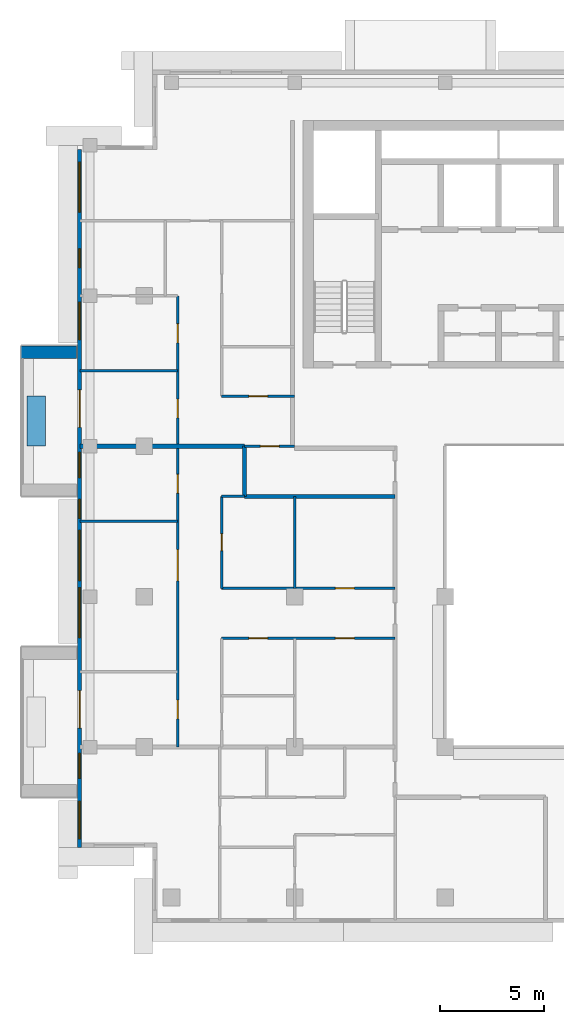
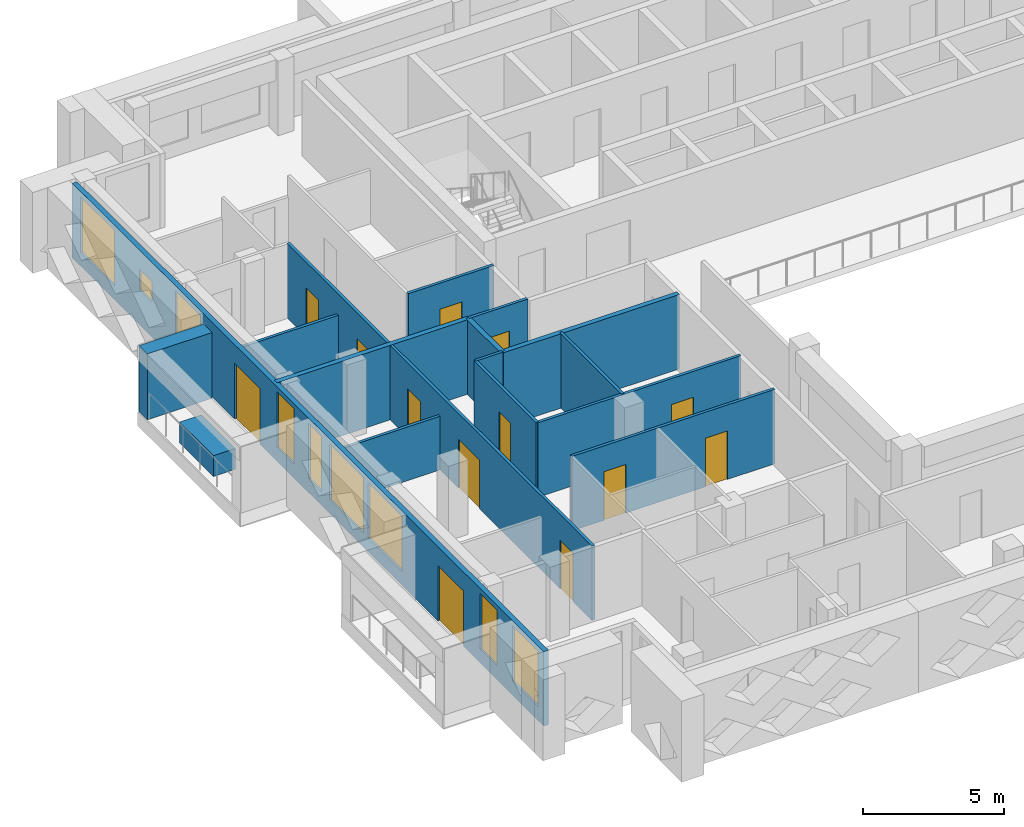
# One storey, part 7 of 19: 16 walls, 13 doors, 9 windows, 22 openings.
"""IFC4 building model written with IfcOpenShell, lengths in metres."""

from ifc_helpers import new_model, si_unit, direction, frame, frame_2d, origin, place, context, subcontext, project, spatial, rectangle, extrude, material, layer, layer_set, type_object, element, fill, save


model = new_model("IFC4")

# Units and contexts
model_context = context("Model", 3, precision=1e-05, world=origin(), true_north=direction((0.0, 1.0)))
body_context = subcontext(model_context, "Body", "Model", "MODEL_VIEW")
ifc_project = project(units=[si_unit("LENGTHUNIT", "METRE"), si_unit("AREAUNIT", "SQUARE_METRE"), si_unit("VOLUMEUNIT", "CUBIC_METRE"), si_unit("PLANEANGLEUNIT", "RADIAN"), si_unit("MASSUNIT", "GRAM", prefix="KILO")], contexts=[model_context])

# Site, building, storey
site_placement = place(None, origin())
site = spatial("IfcSite", under=ifc_project, at=site_placement, CompositionType="ELEMENT")
building_placement = place(site_placement, origin())
building = spatial("IfcBuilding", under=site, at=building_placement, Name="Saffron Iwan Residences", CompositionType="ELEMENT")
storey_placement = place(building_placement, frame((0.0, 0.0, 250.0)))
storey = spatial("IfcBuildingStorey", under=building, at=storey_placement, Name="L67", CompositionType="ELEMENT", Elevation=250.0)

# Walls
ifc_material_1 = material(Name="Concrete C50/60 white painted", Category="concrete")
ifc_layer_1 = layer(ifc_material_1, 0.60009765625)
ifc_layer_set_1 = layer_set([ifc_layer_1], Name="Concrete C50/60 white painted")
wall_type_1 = type_object("IfcWallType", Name="BALCONY FIN 600", PredefinedType="SOLIDWALL", material=ifc_layer_set_1)
wall_1_placement = place(storey_placement, frame((18.35009765625, 66.89990234375, 0.0), z_axis=(0.0, 0.0, 1.0), x_axis=(-1.0, 0.0, 0.0)))
element("IfcWall", 1, at=wall_1_placement, inside=storey, type_object=wall_type_1, Name="Balcony fin L67 F8-0a", PredefinedType="SOLIDWALL", context=body_context, shape_type="SweptSolid", body=[
    extrude(rectangle(XDim=2.650146484375, YDim=0.60009765625, at=frame_2d((1.3251953125, 0.0))), origin(), (0.0, 0.0, 1.0), 2.85009765625),
])
ifc_material_2 = material(Name="Concrete C35/45 white painted", Category="concrete")
ifc_layer_2 = layer(ifc_material_2, 0.14990234375)
ifc_layer_set_2 = layer_set([ifc_layer_2], Name="Concrete C35/45 white painted")
wall_type_2 = type_object("IfcWallType", Name="BALCONY PLANTER", PredefinedType="SOLIDWALL", material=ifc_layer_set_2)
wall_2_placement = place(storey_placement, frame((16.425048828125, 64.800048828125, 0.0), z_axis=(0.0, 0.0, 1.0), x_axis=(0.0, -1.0, 0.0)))
element("IfcWall", 2, at=wall_2_placement, inside=storey, type_object=wall_type_2, Name="PLANTER L67 F8-0", PredefinedType="SOLIDWALL", context=body_context, shape_type="SweptSolid", body=[
    extrude(rectangle(XDim=2.400146484375, YDim=0.89990234375, at=frame_2d((1.2001953125, 0.0))), origin(), (0.0, 0.0, 1.0), 0.89990234375),
])

# Wall, openings, doors, windows
ifc_material_3 = material(Name="Concrete C40/50", Category="concrete")
ifc_layer_3 = layer(ifc_material_3, 0.199951171875)
ifc_layer_set_3 = layer_set([ifc_layer_3], Name="Concrete C40/50")
wall_type_3 = type_object("IfcWallType", Name="EXTERNAL WALL 200", PredefinedType="SOLIDWALL", material=ifc_layer_set_3)
wall_3_placement = place(storey_placement, frame((18.5, 76.60009765625, 0.0), z_axis=(0.0, 0.0, 1.0), x_axis=(0.0, -1.0, 0.0)))
wall_3 = element("IfcWall", 3, at=wall_3_placement, inside=storey, type_object=wall_type_3, Name="External wall L67 F8.0", PredefinedType="SOLIDWALL", context=body_context, shape_type="SweptSolid", body=[
    extrude(rectangle(XDim=33.400146484375, YDim=0.199951171875, at=frame_2d((16.7001953125, 0.0))), origin(), (0.0, 0.0, 1.0), 3.219970703125),
])
opening_1_placement = place(wall_3_placement, frame((11.5, 0.0, 0.0)))
opening_1 = element("IfcOpeningElement", 4, at=opening_1_placement, cuts=wall_3, Name="Opening BD1", PredefinedType="OPENING", context=body_context, shape_type="SweptSolid", body=[
    extrude(rectangle(XDim=1.800048828125, YDim=2.39990234375, at=frame_2d((0.89990234375, 1.199951171875))), frame((0.0, 0.10986328125, 0.0), z_axis=(0.0, -1.0, 0.0), x_axis=(1.0, 0.0, 0.0)), (0.0, 0.0, 1.0), 0.219970703125),
])
opening_2_placement = place(wall_3_placement, frame((25.89990234375, 0.0, 0.0)))
opening_2 = element("IfcOpeningElement", 5, at=opening_2_placement, cuts=wall_3, Name="Opening BD1", PredefinedType="OPENING", context=body_context, shape_type="SweptSolid", body=[
    extrude(rectangle(XDim=1.800048828125, YDim=2.39990234375, at=frame_2d((0.89990234375, 1.199951171875))), frame((0.0, 0.10986328125, 0.0), z_axis=(0.0, -1.0, 0.0), x_axis=(1.0, 0.0, 0.0)), (0.0, 0.0, 1.0), 0.219970703125),
])
opening_3_placement = place(wall_3_placement, frame((28.89990234375, 0.0, 0.60009765625)))
opening_3 = element("IfcOpeningElement", 6, at=opening_3_placement, cuts=wall_3, Name="Opening W3", PredefinedType="OPENING", context=body_context, shape_type="SweptSolid", body=[
    extrude(rectangle(XDim=1.199951171875, YDim=2.39990234375, at=frame_2d((0.60009765625, 1.199951171875))), frame((0.0, 0.10986328125, 0.0), z_axis=(0.0, -1.0, 0.0), x_axis=(1.0, 0.0, 0.0)), (0.0, 0.0, 1.0), 0.219970703125),
])
opening_4_placement = place(wall_3_placement, frame((31.199951171875, 0.0, 0.60009765625)))
opening_4 = element("IfcOpeningElement", 7, at=opening_4_placement, cuts=wall_3, Name="Opening W8", PredefinedType="OPENING", context=body_context, shape_type="SweptSolid", body=[
    extrude(rectangle(XDim=1.800048828125, YDim=2.39990234375, at=frame_2d((0.89990234375, 1.199951171875))), frame((0.0, 0.10986328125, 0.0), z_axis=(0.0, -1.0, 0.0), x_axis=(1.0, 0.0, 0.0)), (0.0, 0.0, 1.0), 0.219970703125),
])
opening_5_placement = place(wall_3_placement, frame((18.2333984375, 0.0, 0.60009765625)))
opening_5 = element("IfcOpeningElement", 8, at=opening_5_placement, cuts=wall_3, Name="Opening W1", PredefinedType="OPENING", context=body_context, shape_type="SweptSolid", body=[
    extrude(rectangle(XDim=2.39990234375, YDim=2.39990234375, at=frame_2d((1.199951171875, 1.199951171875))), frame((0.0, 0.10986328125, 0.0), z_axis=(0.0, -1.0, 0.0), x_axis=(1.0, 0.0, 0.0)), (0.0, 0.0, 1.0), 0.219970703125),
])
opening_6_placement = place(wall_3_placement, frame((20.966796875, 0.0, 0.60009765625)))
opening_6 = element("IfcOpeningElement", 9, at=opening_6_placement, cuts=wall_3, Name="Opening W1", PredefinedType="OPENING", context=body_context, shape_type="SweptSolid", body=[
    extrude(rectangle(XDim=2.39990234375, YDim=2.39990234375, at=frame_2d((1.199951171875, 1.199951171875))), frame((0.0, 0.10986328125, 0.0), z_axis=(0.0, -1.0, 0.0), x_axis=(1.0, 0.0, 0.0)), (0.0, 0.0, 1.0), 0.219970703125),
])
opening_7_placement = place(wall_3_placement, frame((14.5, 0.0, 0.60009765625)))
opening_7 = element("IfcOpeningElement", 10, at=opening_7_placement, cuts=wall_3, Name="Opening W3", PredefinedType="OPENING", context=body_context, shape_type="SweptSolid", body=[
    extrude(rectangle(XDim=1.199951171875, YDim=2.39990234375, at=frame_2d((0.60009765625, 1.199951171875))), frame((0.0, 0.10986328125, 0.0), z_axis=(0.0, -1.0, 0.0), x_axis=(1.0, 0.0, 0.0)), (0.0, 0.0, 1.0), 0.219970703125),
])
opening_8_placement = place(wall_3_placement, frame((16.75, 0.0, 0.60009765625)))
opening_8 = element("IfcOpeningElement", 11, at=opening_8_placement, cuts=wall_3, Name="Opening W10", PredefinedType="OPENING", context=body_context, shape_type="SweptSolid", body=[
    extrude(rectangle(XDim=0.89990234375, YDim=2.39990234375, at=frame_2d((0.449951171875, 1.199951171875))), frame((0.0, 0.10986328125, 0.0), z_axis=(0.0, -1.0, 0.0), x_axis=(1.0, 0.0, 0.0)), (0.0, 0.0, 1.0), 0.219970703125),
])
opening_9_placement = place(wall_3_placement, frame((7.300048828125, 0.0, 0.60009765625)))
opening_9 = element("IfcOpeningElement", 12, at=opening_9_placement, cuts=wall_3, Name="Opening W8", PredefinedType="OPENING", context=body_context, shape_type="SweptSolid", body=[
    extrude(rectangle(XDim=1.800048828125, YDim=2.39990234375, at=frame_2d((0.89990234375, 1.199951171875))), frame((0.0, 0.10986328125, 0.0), z_axis=(0.0, -1.0, 0.0), x_axis=(1.0, 0.0, 0.0)), (0.0, 0.0, 1.0), 0.219970703125),
])
opening_10_placement = place(wall_3_placement, frame((4.75, 0.0, 1.5)))
opening_10 = element("IfcOpeningElement", 13, at=opening_10_placement, cuts=wall_3, Name="Opening W6", PredefinedType="OPENING", context=body_context, shape_type="SweptSolid", body=[
    extrude(rectangle(XDim=0.89990234375, YDim=0.89990234375, at=frame_2d((0.449951171875, 0.449951171875))), frame((0.0, 0.10986328125, 0.0), z_axis=(0.0, -1.0, 0.0), x_axis=(1.0, 0.0, 0.0)), (0.0, 0.0, 1.0), 0.219970703125),
])
opening_11_placement = place(wall_3_placement, frame((0.60009765625, 0.0, 0.60009765625)))
opening_11 = element("IfcOpeningElement", 14, at=opening_11_placement, cuts=wall_3, Name="Opening W1", PredefinedType="OPENING", context=body_context, shape_type="SweptSolid", body=[
    extrude(rectangle(XDim=2.39990234375, YDim=2.39990234375, at=frame_2d((1.199951171875, 1.199951171875))), frame((0.0, 0.10986328125, 0.0), z_axis=(0.0, -1.0, 0.0), x_axis=(1.0, 0.0, 0.0)), (0.0, 0.0, 1.0), 0.219970703125),
])
ifc_material_4 = material(Name="Clear glass, laminated double glazed", Category="glass")
door_type_1 = type_object("IfcDoorType", Name="BALCONY DOOR 1800 x 2400", OperationType="DOUBLE_DOOR_SLIDING", PredefinedType="DOOR", material=ifc_material_4)
door_1_placement = place(opening_1_placement, origin())
door_1 = element("IfcDoor", 15, at=door_1_placement, inside=storey, type_object=door_type_1, Name="Balcony door L67 F8.0", OperationType="DOUBLE_DOOR_SLIDING", OverallHeight=2.39990234375, OverallWidth=1.800048828125, PredefinedType="DOOR", context=body_context, shape_type="SweptSolid", body=[
    extrude(rectangle(XDim=1.800048828125, YDim=2.39990234375, at=frame_2d((0.89990234375, 1.199951171875))), frame((0.0, 0.02490234375, 0.0), z_axis=(0.0, -1.0, 0.0), x_axis=(1.0, 0.0, 0.0)), (0.0, 0.0, 1.0), 0.050048828125),
])
fill(opening_1, door_1)
door_2_placement = place(opening_2_placement, origin())
door_2 = element("IfcDoor", 16, at=door_2_placement, inside=storey, type_object=door_type_1, Name="Balcony door L67 F8.1", OperationType="DOUBLE_DOOR_SLIDING", OverallHeight=2.39990234375, OverallWidth=1.800048828125, PredefinedType="DOOR", context=body_context, shape_type="SweptSolid", body=[
    extrude(rectangle(XDim=1.800048828125, YDim=2.39990234375, at=frame_2d((0.89990234375, 1.199951171875))), frame((0.0, 0.02490234375, 0.0), z_axis=(0.0, -1.0, 0.0), x_axis=(1.0, 0.0, 0.0)), (0.0, 0.0, 1.0), 0.050048828125),
])
fill(opening_2, door_2)
window_type_1 = type_object("IfcWindowType", Name="WINDOW 1200 x 2400", PartitioningType="SINGLE_PANEL", PredefinedType="WINDOW", material=ifc_material_4)
window_1_placement = place(opening_3_placement, origin())
window_1 = element("IfcWindow", 17, at=window_1_placement, inside=storey, type_object=window_type_1, Name="Window L67 F8.2", OverallHeight=2.39990234375, OverallWidth=1.199951171875, PartitioningType="SINGLE_PANEL", PredefinedType="WINDOW", context=body_context, shape_type="SweptSolid", body=[
    extrude(rectangle(XDim=1.199951171875, YDim=2.39990234375, at=frame_2d((0.60009765625, 1.199951171875))), frame((0.0, 0.030029296875, 0.0), z_axis=(0.0, -1.0, 0.0), x_axis=(1.0, 0.0, 0.0)), (0.0, 0.0, 1.0), 0.06005859375),
])
fill(opening_3, window_1)
window_2_placement = place(opening_7_placement, origin())
window_2 = element("IfcWindow", 18, at=window_2_placement, inside=storey, type_object=window_type_1, Name="Window L67 F8.6", OverallHeight=2.39990234375, OverallWidth=1.199951171875, PartitioningType="SINGLE_PANEL", PredefinedType="WINDOW", context=body_context, shape_type="SweptSolid", body=[
    extrude(rectangle(XDim=1.199951171875, YDim=2.39990234375, at=frame_2d((0.60009765625, 1.199951171875))), frame((0.0, 0.030029296875, 0.0), z_axis=(0.0, -1.0, 0.0), x_axis=(1.0, 0.0, 0.0)), (0.0, 0.0, 1.0), 0.06005859375),
])
fill(opening_7, window_2)
window_type_2 = type_object("IfcWindowType", Name="WINDOW 1800 x 2400", PartitioningType="DOUBLE_PANEL_VERTICAL", PredefinedType="WINDOW", material=ifc_material_4)
window_3_placement = place(opening_4_placement, origin())
window_3 = element("IfcWindow", 19, at=window_3_placement, inside=storey, type_object=window_type_2, Name="Window L67 F8.3", OverallHeight=2.39990234375, OverallWidth=1.800048828125, PartitioningType="DOUBLE_PANEL_VERTICAL", PredefinedType="WINDOW", context=body_context, shape_type="SweptSolid", body=[
    extrude(rectangle(XDim=1.800048828125, YDim=2.39990234375, at=frame_2d((0.89990234375, 1.199951171875))), frame((0.0, 0.030029296875, 0.0), z_axis=(0.0, -1.0, 0.0), x_axis=(1.0, 0.0, 0.0)), (0.0, 0.0, 1.0), 0.06005859375),
])
fill(opening_4, window_3)
window_4_placement = place(opening_9_placement, origin())
window_4 = element("IfcWindow", 20, at=window_4_placement, inside=storey, type_object=window_type_2, Name="Window L67 F8.8", OverallHeight=2.39990234375, OverallWidth=1.800048828125, PartitioningType="DOUBLE_PANEL_VERTICAL", PredefinedType="WINDOW", context=body_context, shape_type="SweptSolid", body=[
    extrude(rectangle(XDim=1.800048828125, YDim=2.39990234375, at=frame_2d((0.89990234375, 1.199951171875))), frame((0.0, 0.030029296875, 0.0), z_axis=(0.0, -1.0, 0.0), x_axis=(1.0, 0.0, 0.0)), (0.0, 0.0, 1.0), 0.06005859375),
])
fill(opening_9, window_4)
window_type_3 = type_object("IfcWindowType", Name="WINDOW 2400 x 2400", PartitioningType="DOUBLE_PANEL_VERTICAL", PredefinedType="WINDOW", material=ifc_material_4)
window_5_placement = place(opening_5_placement, origin())
window_5 = element("IfcWindow", 21, at=window_5_placement, inside=storey, type_object=window_type_3, Name="Window L67 F8.4", OverallHeight=2.39990234375, OverallWidth=2.39990234375, PartitioningType="DOUBLE_PANEL_VERTICAL", PredefinedType="WINDOW", context=body_context, shape_type="SweptSolid", body=[
    extrude(rectangle(XDim=2.39990234375, YDim=2.39990234375, at=frame_2d((1.199951171875, 1.199951171875))), frame((0.0, 0.030029296875, 0.0), z_axis=(0.0, -1.0, 0.0), x_axis=(1.0, 0.0, 0.0)), (0.0, 0.0, 1.0), 0.06005859375),
])
fill(opening_5, window_5)
window_6_placement = place(opening_6_placement, origin())
window_6 = element("IfcWindow", 22, at=window_6_placement, inside=storey, type_object=window_type_3, Name="Window L67 F8.5", OverallHeight=2.39990234375, OverallWidth=2.39990234375, PartitioningType="DOUBLE_PANEL_VERTICAL", PredefinedType="WINDOW", context=body_context, shape_type="SweptSolid", body=[
    extrude(rectangle(XDim=2.39990234375, YDim=2.39990234375, at=frame_2d((1.199951171875, 1.199951171875))), frame((0.0, 0.030029296875, 0.0), z_axis=(0.0, -1.0, 0.0), x_axis=(1.0, 0.0, 0.0)), (0.0, 0.0, 1.0), 0.06005859375),
])
fill(opening_6, window_6)
window_7_placement = place(opening_11_placement, origin())
window_7 = element("IfcWindow", 23, at=window_7_placement, inside=storey, type_object=window_type_3, Name="Window L67 F8.10", OverallHeight=2.39990234375, OverallWidth=2.39990234375, PartitioningType="DOUBLE_PANEL_VERTICAL", PredefinedType="WINDOW", context=body_context, shape_type="SweptSolid", body=[
    extrude(rectangle(XDim=2.39990234375, YDim=2.39990234375, at=frame_2d((1.199951171875, 1.199951171875))), frame((0.0, 0.030029296875, 0.0), z_axis=(0.0, -1.0, 0.0), x_axis=(1.0, 0.0, 0.0)), (0.0, 0.0, 1.0), 0.06005859375),
])
fill(opening_11, window_7)
window_type_4 = type_object("IfcWindowType", Name="WINDOW 900 x 2400", PartitioningType="SINGLE_PANEL", PredefinedType="WINDOW", material=ifc_material_4)
window_8_placement = place(opening_8_placement, origin())
window_8 = element("IfcWindow", 24, at=window_8_placement, inside=storey, type_object=window_type_4, Name="Window L67 F8.7", OverallHeight=2.39990234375, OverallWidth=0.89990234375, PartitioningType="SINGLE_PANEL", PredefinedType="WINDOW", context=body_context, shape_type="SweptSolid", body=[
    extrude(rectangle(XDim=0.89990234375, YDim=2.39990234375, at=frame_2d((0.449951171875, 1.199951171875))), frame((0.0, 0.030029296875, 0.0), z_axis=(0.0, -1.0, 0.0), x_axis=(1.0, 0.0, 0.0)), (0.0, 0.0, 1.0), 0.06005859375),
])
fill(opening_8, window_8)
window_type_5 = type_object("IfcWindowType", Name="WINDOW 900 x 900 BATH", PartitioningType="SINGLE_PANEL", PredefinedType="WINDOW", material=ifc_material_4)
window_9_placement = place(opening_10_placement, origin())
window_9 = element("IfcWindow", 25, at=window_9_placement, inside=storey, type_object=window_type_5, Name="Window L67 F8.9", OverallHeight=0.89990234375, OverallWidth=0.89990234375, PartitioningType="SINGLE_PANEL", PredefinedType="WINDOW", context=body_context, shape_type="SweptSolid", body=[
    extrude(rectangle(XDim=0.89990234375, YDim=0.89990234375, at=frame_2d((0.449951171875, 0.449951171875))), frame((0.0, 0.030029296875, 0.0), z_axis=(0.0, -1.0, 0.0), x_axis=(1.0, 0.0, 0.0)), (0.0, 0.0, 1.0), 0.06005859375),
])
fill(opening_10, window_9)

# Walls
ifc_material_5 = material(Name="Fire-rated gypsum board wall")
ifc_layer_4 = layer(ifc_material_5, 0.199951171875)
ifc_layer_set_4 = layer_set([ifc_layer_4], Name="Fire-rated gypsum board wall")
wall_type_4 = type_object("IfcWallType", Name="Flat demising wall 200", PredefinedType="SOLIDWALL", material=ifc_layer_set_4)
wall_4_placement = place(storey_placement, frame((26.39990234375, 60.0, 0.0), z_axis=(0.0, 0.0, 1.0), x_axis=(1.0, 0.0, 0.0)))
element("IfcWall", 26, at=wall_4_placement, inside=storey, type_object=wall_type_4, Name="W-L67-DEMISE-h60-26.4", PredefinedType="SOLIDWALL", context=body_context, shape_type="SweptSolid", body=[
    extrude(rectangle(XDim=7.2001953125, YDim=0.199951171875, at=frame_2d((3.60009765625, 0.0))), origin(), (0.0, 0.0, 1.0), 3.219970703125),
])
wall_5_placement = place(storey_placement, frame((18.52490234375, 62.39990234375, 0.0), z_axis=(0.0, 0.0, 1.0), x_axis=(1.0, 0.0, 0.0)))
element("IfcWall", 27, at=wall_5_placement, inside=storey, type_object=wall_type_4, Name="W-L67-DEMISE-h62.4-18.525", PredefinedType="SOLIDWALL", context=body_context, shape_type="SweptSolid", body=[
    extrude(rectangle(XDim=7.875, YDim=0.199951171875, at=frame_2d((3.9375, 0.0))), origin(), (0.0, 0.0, 1.0), 3.219970703125),
])
wall_6_placement = place(storey_placement, frame((26.39990234375, 60.0, 0.0), z_axis=(0.0, 0.0, 1.0), x_axis=(0.0, 1.0, 0.0)))
element("IfcWall", 28, at=wall_6_placement, inside=storey, type_object=wall_type_4, Name="W-L67-DEMISE-v26.4-60", PredefinedType="SOLIDWALL", context=body_context, shape_type="SweptSolid", body=[
    extrude(rectangle(XDim=2.39990234375, YDim=0.199951171875, at=frame_2d((1.199951171875, 0.0))), origin(), (0.0, 0.0, 1.0), 3.219970703125),
])

# Wall, openings, doors
ifc_material_6 = material(Name="Gypsum board partition")
ifc_layer_5 = layer(ifc_material_6, 0.1201171875)
ifc_layer_set_5 = layer_set([ifc_layer_5], Name="Gypsum board partition")
wall_type_5 = type_object("IfcWallType", Name="Flat partition 120", PredefinedType="PARTITIONING", material=ifc_layer_set_5)
wall_7_placement = place(storey_placement, frame((25.300048828125, 53.199951171875, 0.0), z_axis=(0.0, 0.0, 1.0), x_axis=(1.0, 0.0, 0.0)))
wall_7 = element("IfcWall", 29, at=wall_7_placement, inside=storey, type_object=wall_type_5, Name="W-L67-PART-h53.2-25.3", PredefinedType="PARTITIONING", context=body_context, shape_type="SweptSolid", body=[
    extrude(rectangle(XDim=8.300048828125, YDim=0.1201171875, at=frame_2d((4.14990234375, 0.0))), origin(), (0.0, 0.0, 1.0), 3.219970703125),
])
opening_12_placement = place(wall_7_placement, frame((1.300048828125, 0.0, 0.0)))
opening_12 = element("IfcOpeningElement", 30, at=opening_12_placement, cuts=wall_7, Name="Opening FD2", PredefinedType="OPENING", context=body_context, shape_type="SweptSolid", body=[
    extrude(rectangle(XDim=0.89990234375, YDim=2.10009765625, at=frame_2d((0.449951171875, 1.050048828125))), frame((0.0, 0.070068359375, 0.0), z_axis=(0.0, -1.0, 0.0), x_axis=(1.0, 0.0, 0.0)), (0.0, 0.0, 1.0), 0.14013671875),
])
opening_13_placement = place(wall_7_placement, frame((5.449951171875, 0.0, 0.0)))
opening_13 = element("IfcOpeningElement", 31, at=opening_13_placement, cuts=wall_7, Name="Opening FD2", PredefinedType="OPENING", context=body_context, shape_type="SweptSolid", body=[
    extrude(rectangle(XDim=0.89990234375, YDim=2.10009765625, at=frame_2d((0.449951171875, 1.050048828125))), frame((0.0, 0.070068359375, 0.0), z_axis=(0.0, -1.0, 0.0), x_axis=(1.0, 0.0, 0.0)), (0.0, 0.0, 1.0), 0.14013671875),
])
ifc_material_7 = material(Name="Timber door", Category="wood")
door_type_2 = type_object("IfcDoorType", Name="Flat door 900", OperationType="NOTDEFINED", PredefinedType="DOOR", material=ifc_material_7)
door_3_placement = place(opening_12_placement, origin())
door_3 = element("IfcDoor", 32, at=door_3_placement, inside=storey, type_object=door_type_2, Name="Door L67-013", OperationType="SINGLE_SWING_LEFT", OverallHeight=2.10009765625, OverallWidth=0.89990234375, PredefinedType="DOOR", context=body_context, shape_type="SweptSolid", body=[
    extrude(rectangle(XDim=0.89990234375, YDim=2.10009765625, at=frame_2d((0.449951171875, 1.050048828125))), frame((0.0, 0.02490234375, 0.0), z_axis=(0.0, -1.0, 0.0), x_axis=(1.0, 0.0, 0.0)), (0.0, 0.0, 1.0), 0.050048828125),
])
fill(opening_12, door_3)
door_4_placement = place(opening_13_placement, origin())
door_4 = element("IfcDoor", 33, at=door_4_placement, inside=storey, type_object=door_type_2, Name="Door L67-015", OperationType="SINGLE_SWING_RIGHT", OverallHeight=2.10009765625, OverallWidth=0.89990234375, PredefinedType="DOOR", context=body_context, shape_type="SweptSolid", body=[
    extrude(rectangle(XDim=0.89990234375, YDim=2.10009765625, at=frame_2d((0.449951171875, 1.050048828125))), frame((0.0, 0.02490234375, 0.0), z_axis=(0.0, -1.0, 0.0), x_axis=(1.0, 0.0, 0.0)), (0.0, 0.0, 1.0), 0.050048828125),
])
fill(opening_13, door_4)

# Wall, opening, door
wall_8_placement = place(storey_placement, frame((25.300048828125, 55.60009765625, 0.0), z_axis=(0.0, 0.0, 1.0), x_axis=(1.0, 0.0, 0.0)))
wall_8 = element("IfcWall", 34, at=wall_8_placement, inside=storey, type_object=wall_type_5, Name="W-L67-PART-h55.6-25.3", PredefinedType="PARTITIONING", context=body_context, shape_type="SweptSolid", body=[
    extrude(rectangle(XDim=8.300048828125, YDim=0.1201171875, at=frame_2d((4.14990234375, 0.0))), origin(), (0.0, 0.0, 1.0), 3.219970703125),
])
opening_14_placement = place(wall_8_placement, frame((5.449951171875, 0.0, 0.0)))
opening_14 = element("IfcOpeningElement", 35, at=opening_14_placement, cuts=wall_8, Name="Opening FD2", PredefinedType="OPENING", context=body_context, shape_type="SweptSolid", body=[
    extrude(rectangle(XDim=0.89990234375, YDim=2.10009765625, at=frame_2d((0.449951171875, 1.050048828125))), frame((0.0, 0.070068359375, 0.0), z_axis=(0.0, -1.0, 0.0), x_axis=(1.0, 0.0, 0.0)), (0.0, 0.0, 1.0), 0.14013671875),
])
door_5_placement = place(opening_14_placement, origin())
door_5 = element("IfcDoor", 36, at=door_5_placement, inside=storey, type_object=door_type_2, Name="Door L67-016", OperationType="SINGLE_SWING_LEFT", OverallHeight=2.10009765625, OverallWidth=0.89990234375, PredefinedType="DOOR", context=body_context, shape_type="SweptSolid", body=[
    extrude(rectangle(XDim=0.89990234375, YDim=2.10009765625, at=frame_2d((0.449951171875, 1.050048828125))), frame((0.0, 0.02490234375, 0.0), z_axis=(0.0, -1.0, 0.0), x_axis=(1.0, 0.0, 0.0)), (0.0, 0.0, 1.0), 0.050048828125),
])
fill(opening_14, door_5)

# Walls
wall_9_placement = place(storey_placement, frame((18.52490234375, 58.800048828125, 0.0), z_axis=(0.0, 0.0, 1.0), x_axis=(1.0, 0.0, 0.0)))
element("IfcWall", 37, at=wall_9_placement, inside=storey, type_object=wall_type_5, Name="W-L67-PART-h58.8-18.525", PredefinedType="PARTITIONING", context=body_context, shape_type="SweptSolid", body=[
    extrude(rectangle(XDim=4.675048828125, YDim=0.1201171875, at=frame_2d((2.33740234375, 0.0))), origin(), (0.0, 0.0, 1.0), 2.320068359375),
])
wall_10_placement = place(storey_placement, frame((25.300048828125, 60.0, 0.0), z_axis=(0.0, 0.0, 1.0), x_axis=(1.0, 0.0, 0.0)))
element("IfcWall", 38, at=wall_10_placement, inside=storey, type_object=wall_type_5, Name="W-L67-PART-h60-25.3", PredefinedType="PARTITIONING", context=body_context, shape_type="SweptSolid", body=[
    extrude(rectangle(XDim=1.099853515625, YDim=0.1201171875, at=frame_2d((0.5498046875, 0.0))), origin(), (0.0, 0.0, 1.0), 3.219970703125),
])

# Wall, opening, door
wall_11_placement = place(storey_placement, frame((26.39990234375, 62.39990234375, 0.0), z_axis=(0.0, 0.0, 1.0), x_axis=(1.0, 0.0, 0.0)))
wall_11 = element("IfcWall", 39, at=wall_11_placement, inside=storey, type_object=wall_type_5, Name="W-L67-PART-h62.4-26.4", PredefinedType="PARTITIONING", context=body_context, shape_type="SweptSolid", body=[
    extrude(rectangle(XDim=2.400146484375, YDim=0.1201171875, at=frame_2d((1.2001953125, 0.0))), origin(), (0.0, 0.0, 1.0), 3.219970703125),
])
opening_15_placement = place(wall_11_placement, frame((0.75, 0.0, 0.0)))
opening_15 = element("IfcOpeningElement", 40, at=opening_15_placement, cuts=wall_11, Name="Opening FD2", PredefinedType="OPENING", context=body_context, shape_type="SweptSolid", body=[
    extrude(rectangle(XDim=0.89990234375, YDim=2.10009765625, at=frame_2d((0.449951171875, 1.050048828125))), frame((0.0, 0.070068359375, 0.0), z_axis=(0.0, -1.0, 0.0), x_axis=(1.0, 0.0, 0.0)), (0.0, 0.0, 1.0), 0.14013671875),
])
door_6_placement = place(opening_15_placement, origin())
door_6 = element("IfcDoor", 41, at=door_6_placement, inside=storey, type_object=door_type_2, Name="Door L67-023", OperationType="SINGLE_SWING_LEFT", OverallHeight=2.10009765625, OverallWidth=0.89990234375, PredefinedType="DOOR", context=body_context, shape_type="SweptSolid", body=[
    extrude(rectangle(XDim=0.89990234375, YDim=2.10009765625, at=frame_2d((0.449951171875, 1.050048828125))), frame((0.0, 0.02490234375, 0.0), z_axis=(0.0, -1.0, 0.0), x_axis=(1.0, 0.0, 0.0)), (0.0, 0.0, 1.0), 0.050048828125),
])
fill(opening_15, door_6)

wall_12_placement = place(storey_placement, frame((25.300048828125, 64.800048828125, 0.0), z_axis=(0.0, 0.0, 1.0), x_axis=(1.0, 0.0, 0.0)))
wall_12 = element("IfcWall", 42, at=wall_12_placement, inside=storey, type_object=wall_type_5, Name="W-L67-PART-h64.8-25.3", PredefinedType="PARTITIONING", context=body_context, shape_type="SweptSolid", body=[
    extrude(rectangle(XDim=3.5, YDim=0.1201171875, at=frame_2d((1.75, 0.0))), origin(), (0.0, 0.0, 1.0), 3.219970703125),
])
opening_16_placement = place(wall_12_placement, frame((1.300048828125, 0.0, 0.0)))
opening_16 = element("IfcOpeningElement", 43, at=opening_16_placement, cuts=wall_12, Name="Opening FD2", PredefinedType="OPENING", context=body_context, shape_type="SweptSolid", body=[
    extrude(rectangle(XDim=0.89990234375, YDim=2.10009765625, at=frame_2d((0.449951171875, 1.050048828125))), frame((0.0, 0.070068359375, 0.0), z_axis=(0.0, -1.0, 0.0), x_axis=(1.0, 0.0, 0.0)), (0.0, 0.0, 1.0), 0.14013671875),
])
door_7_placement = place(opening_16_placement, origin())
door_7 = element("IfcDoor", 44, at=door_7_placement, inside=storey, type_object=door_type_2, Name="Door L67-029", OperationType="SINGLE_SWING_LEFT", OverallHeight=2.10009765625, OverallWidth=0.89990234375, PredefinedType="DOOR", context=body_context, shape_type="SweptSolid", body=[
    extrude(rectangle(XDim=0.89990234375, YDim=2.10009765625, at=frame_2d((0.449951171875, 1.050048828125))), frame((0.0, 0.02490234375, 0.0), z_axis=(0.0, -1.0, 0.0), x_axis=(1.0, 0.0, 0.0)), (0.0, 0.0, 1.0), 0.050048828125),
])
fill(opening_16, door_7)

# Wall
wall_13_placement = place(storey_placement, frame((18.52490234375, 66.0, 0.0), z_axis=(0.0, 0.0, 1.0), x_axis=(1.0, 0.0, 0.0)))
element("IfcWall", 45, at=wall_13_placement, inside=storey, type_object=wall_type_5, Name="W-L67-PART-h66-18.525", PredefinedType="PARTITIONING", context=body_context, shape_type="SweptSolid", body=[
    extrude(rectangle(XDim=4.675048828125, YDim=0.1201171875, at=frame_2d((2.33740234375, 0.0))), origin(), (0.0, 0.0, 1.0), 2.320068359375),
])

# Wall, openings, doors
wall_14_placement = place(storey_placement, frame((23.199951171875, 48.0, 0.0), z_axis=(0.0, 0.0, 1.0), x_axis=(0.0, 1.0, 0.0)))
wall_14 = element("IfcWall", 46, at=wall_14_placement, inside=storey, type_object=wall_type_5, Name="W-L67-PART-v23.2-48", PredefinedType="PARTITIONING", context=body_context, shape_type="SweptSolid", body=[
    extrude(rectangle(XDim=21.60009765625, YDim=0.1201171875, at=frame_2d((10.800048828125, 0.0))), origin(), (0.0, 0.0, 1.0), 3.219970703125),
])
opening_17_placement = place(wall_14_placement, frame((1.35009765625, 0.0, 0.0)))
opening_17 = element("IfcOpeningElement", 47, at=opening_17_placement, cuts=wall_14, Name="Opening FD2", PredefinedType="OPENING", context=body_context, shape_type="SweptSolid", body=[
    extrude(rectangle(XDim=0.89990234375, YDim=2.10009765625, at=frame_2d((0.449951171875, 1.050048828125))), frame((0.0, 0.070068359375, 0.0), z_axis=(0.0, -1.0, 0.0), x_axis=(1.0, 0.0, 0.0)), (0.0, 0.0, 1.0), 0.14013671875),
])
opening_18_placement = place(wall_14_placement, frame((7.949951171875, 0.0, 0.0)))
opening_18 = element("IfcOpeningElement", 48, at=opening_18_placement, cuts=wall_14, Name="Opening FD4", PredefinedType="OPENING", context=body_context, shape_type="SweptSolid", body=[
    extrude(rectangle(XDim=1.5, YDim=2.10009765625, at=frame_2d((0.75, 1.050048828125))), frame((0.0, 0.070068359375, 0.0), z_axis=(0.0, -1.0, 0.0), x_axis=(1.0, 0.0, 0.0)), (0.0, 0.0, 1.0), 0.14013671875),
])
opening_19_placement = place(wall_14_placement, frame((12.14990234375, 0.0, 0.0)))
opening_19 = element("IfcOpeningElement", 49, at=opening_19_placement, cuts=wall_14, Name="Opening FD2", PredefinedType="OPENING", context=body_context, shape_type="SweptSolid", body=[
    extrude(rectangle(XDim=0.89990234375, YDim=2.10009765625, at=frame_2d((0.449951171875, 1.050048828125))), frame((0.0, 0.070068359375, 0.0), z_axis=(0.0, -1.0, 0.0), x_axis=(1.0, 0.0, 0.0)), (0.0, 0.0, 1.0), 0.14013671875),
])
opening_20_placement = place(wall_14_placement, frame((15.75, 0.0, 0.0)))
opening_20 = element("IfcOpeningElement", 50, at=opening_20_placement, cuts=wall_14, Name="Opening FD2", PredefinedType="OPENING", context=body_context, shape_type="SweptSolid", body=[
    extrude(rectangle(XDim=0.89990234375, YDim=2.10009765625, at=frame_2d((0.449951171875, 1.050048828125))), frame((0.0, 0.070068359375, 0.0), z_axis=(0.0, -1.0, 0.0), x_axis=(1.0, 0.0, 0.0)), (0.0, 0.0, 1.0), 0.14013671875),
])
opening_21_placement = place(wall_14_placement, frame((19.35009765625, 0.0, 0.0)))
opening_21 = element("IfcOpeningElement", 51, at=opening_21_placement, cuts=wall_14, Name="Opening FD2", PredefinedType="OPENING", context=body_context, shape_type="SweptSolid", body=[
    extrude(rectangle(XDim=0.89990234375, YDim=2.10009765625, at=frame_2d((0.449951171875, 1.050048828125))), frame((0.0, 0.070068359375, 0.0), z_axis=(0.0, -1.0, 0.0), x_axis=(1.0, 0.0, 0.0)), (0.0, 0.0, 1.0), 0.14013671875),
])
door_type_3 = type_object("IfcDoorType", Name="Double door 1500", OperationType="NOTDEFINED", PredefinedType="DOOR", material=ifc_material_7)
door_8_placement = place(opening_18_placement, origin())
door_8 = element("IfcDoor", 52, at=door_8_placement, inside=storey, type_object=door_type_3, Name="Door L67-010", OperationType="SINGLE_SWING_RIGHT", OverallHeight=2.10009765625, OverallWidth=1.5, PredefinedType="DOOR", context=body_context, shape_type="SweptSolid", body=[
    extrude(rectangle(XDim=1.5, YDim=2.10009765625, at=frame_2d((0.75, 1.050048828125))), frame((0.0, 0.02490234375, 0.0), z_axis=(0.0, -1.0, 0.0), x_axis=(1.0, 0.0, 0.0)), (0.0, 0.0, 1.0), 0.050048828125),
])
fill(opening_18, door_8)
door_9_placement = place(opening_17_placement, origin())
door_9 = element("IfcDoor", 53, at=door_9_placement, inside=storey, type_object=door_type_2, Name="Door L67-009", OperationType="SINGLE_SWING_RIGHT", OverallHeight=2.10009765625, OverallWidth=0.89990234375, PredefinedType="DOOR", context=body_context, shape_type="SweptSolid", body=[
    extrude(rectangle(XDim=0.89990234375, YDim=2.10009765625, at=frame_2d((0.449951171875, 1.050048828125))), frame((0.0, 0.02490234375, 0.0), z_axis=(0.0, -1.0, 0.0), x_axis=(1.0, 0.0, 0.0)), (0.0, 0.0, 1.0), 0.050048828125),
])
fill(opening_17, door_9)
door_10_placement = place(opening_19_placement, origin())
door_10 = element("IfcDoor", 54, at=door_10_placement, inside=storey, type_object=door_type_2, Name="Door L67-011", OperationType="SINGLE_SWING_LEFT", OverallHeight=2.10009765625, OverallWidth=0.89990234375, PredefinedType="DOOR", context=body_context, shape_type="SweptSolid", body=[
    extrude(rectangle(XDim=0.89990234375, YDim=2.10009765625, at=frame_2d((0.449951171875, 1.050048828125))), frame((0.0, 0.02490234375, 0.0), z_axis=(0.0, -1.0, 0.0), x_axis=(1.0, 0.0, 0.0)), (0.0, 0.0, 1.0), 0.050048828125),
])
fill(opening_19, door_10)
door_11_placement = place(opening_20_placement, origin())
door_11 = element("IfcDoor", 55, at=door_11_placement, inside=storey, type_object=door_type_2, Name="Door L67-025", OperationType="SINGLE_SWING_LEFT", OverallHeight=2.10009765625, OverallWidth=0.89990234375, PredefinedType="DOOR", context=body_context, shape_type="SweptSolid", body=[
    extrude(rectangle(XDim=0.89990234375, YDim=2.10009765625, at=frame_2d((0.449951171875, 1.050048828125))), frame((0.0, 0.02490234375, 0.0), z_axis=(0.0, -1.0, 0.0), x_axis=(1.0, 0.0, 0.0)), (0.0, 0.0, 1.0), 0.050048828125),
])
fill(opening_20, door_11)
door_12_placement = place(opening_21_placement, origin())
door_12 = element("IfcDoor", 56, at=door_12_placement, inside=storey, type_object=door_type_2, Name="Door L67-026", OperationType="SINGLE_SWING_LEFT", OverallHeight=2.10009765625, OverallWidth=0.89990234375, PredefinedType="DOOR", context=body_context, shape_type="SweptSolid", body=[
    extrude(rectangle(XDim=0.89990234375, YDim=2.10009765625, at=frame_2d((0.449951171875, 1.050048828125))), frame((0.0, 0.02490234375, 0.0), z_axis=(0.0, -1.0, 0.0), x_axis=(1.0, 0.0, 0.0)), (0.0, 0.0, 1.0), 0.050048828125),
])
fill(opening_21, door_12)

# Wall, opening, door
wall_15_placement = place(storey_placement, frame((25.300048828125, 55.60009765625, 0.0), z_axis=(0.0, 0.0, 1.0), x_axis=(0.0, 1.0, 0.0)))
wall_15 = element("IfcWall", 57, at=wall_15_placement, inside=storey, type_object=wall_type_5, Name="W-L67-PART-v25.3-55.6", PredefinedType="PARTITIONING", context=body_context, shape_type="SweptSolid", body=[
    extrude(rectangle(XDim=4.39990234375, YDim=0.1201171875, at=frame_2d((2.199951171875, 0.0))), origin(), (0.0, 0.0, 1.0), 3.219970703125),
])
opening_22_placement = place(wall_15_placement, frame((1.800048828125, 0.0, 0.0)))
opening_22 = element("IfcOpeningElement", 58, at=opening_22_placement, cuts=wall_15, Name="Opening FD3", PredefinedType="OPENING", context=body_context, shape_type="SweptSolid", body=[
    extrude(rectangle(XDim=0.800048828125, YDim=2.10009765625, at=frame_2d((0.39990234375, 1.050048828125))), frame((0.0, 0.070068359375, 0.0), z_axis=(0.0, -1.0, 0.0), x_axis=(1.0, 0.0, 0.0)), (0.0, 0.0, 1.0), 0.14013671875),
])
door_type_4 = type_object("IfcDoorType", Name="Bathroom door 800", OperationType="NOTDEFINED", PredefinedType="DOOR", material=ifc_material_7)
door_13_placement = place(opening_22_placement, origin())
door_13 = element("IfcDoor", 59, at=door_13_placement, inside=storey, type_object=door_type_4, Name="Door L67-014", OperationType="SINGLE_SWING_LEFT", OverallHeight=2.10009765625, OverallWidth=0.800048828125, PredefinedType="DOOR", context=body_context, shape_type="SweptSolid", body=[
    extrude(rectangle(XDim=0.800048828125, YDim=2.10009765625, at=frame_2d((0.39990234375, 1.050048828125))), frame((0.0, 0.02490234375, 0.0), z_axis=(0.0, -1.0, 0.0), x_axis=(1.0, 0.0, 0.0)), (0.0, 0.0, 1.0), 0.050048828125),
])
fill(opening_22, door_13)

# Wall
wall_16_placement = place(storey_placement, frame((28.800048828125, 55.60009765625, 0.0), z_axis=(0.0, 0.0, 1.0), x_axis=(0.0, 1.0, 0.0)))
element("IfcWall", 60, at=wall_16_placement, inside=storey, type_object=wall_type_5, Name="W-L67-PART-v28.8-55.6", PredefinedType="PARTITIONING", context=body_context, shape_type="SweptSolid", body=[
    extrude(rectangle(XDim=4.39990234375, YDim=0.1201171875, at=frame_2d((2.199951171875, 0.0))), origin(), (0.0, 0.0, 1.0), 3.219970703125),
])

save(model, "model.ifc")
